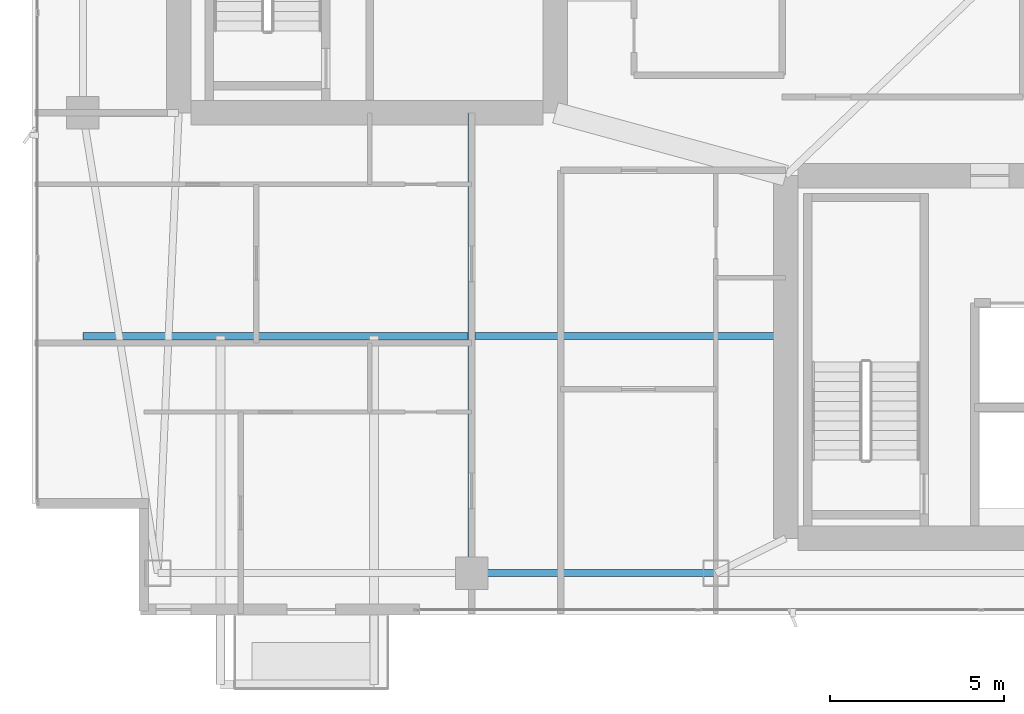
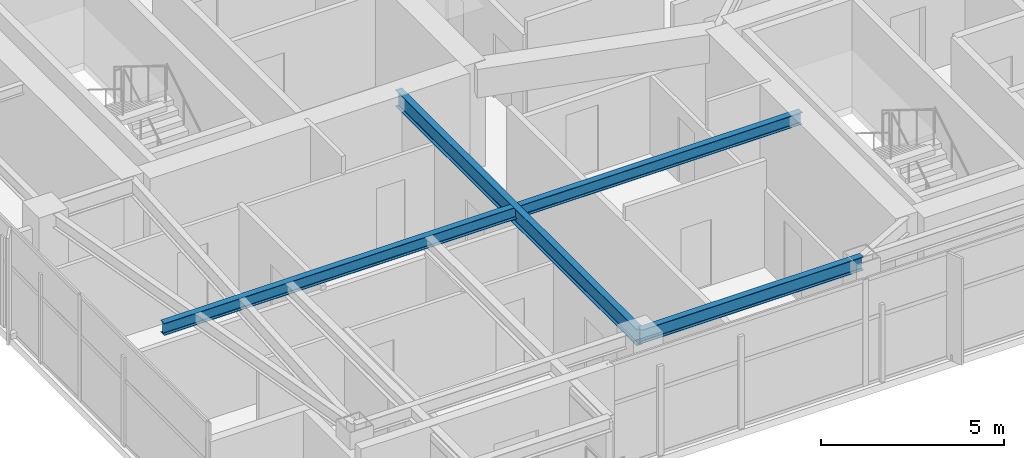
# One storey, part 6 of 29: 3 beams.
"""IFC4 building model written with IfcOpenShell, lengths in metres."""

from ifc_helpers import new_model, si_unit, direction, frame, origin, origin_2d, place, context, subcontext, project, spatial, i_section, extrude, material, material_profile, profile_set, type_object, element, save


model = new_model("IFC4")

# Units and contexts
model_context = context("Model", 3, precision=1e-05, world=origin(), true_north=direction((0.0, 1.0)))
body_context = subcontext(model_context, "Body", "Model", "MODEL_VIEW")
ifc_project = project(units=[si_unit("LENGTHUNIT", "METRE"), si_unit("AREAUNIT", "SQUARE_METRE"), si_unit("VOLUMEUNIT", "CUBIC_METRE"), si_unit("PLANEANGLEUNIT", "RADIAN"), si_unit("MASSUNIT", "GRAM", prefix="KILO")], contexts=[model_context])

# Site, building, storey
site_placement = place(None, origin())
site = spatial("IfcSite", under=ifc_project, at=site_placement, CompositionType="ELEMENT")
building_placement = place(site_placement, origin())
building = spatial("IfcBuilding", under=site, at=building_placement, Name="Calvorn Quay Hotel", CompositionType="ELEMENT")
storey_placement = place(building_placement, frame((0.0, 0.0, 251.39990234375)))
storey = spatial("IfcBuildingStorey", under=building, at=storey_placement, Name="L62", CompositionType="ELEMENT", Elevation=251.39990234375)

# Beams
ifc_material_1 = material(Name="Steel Q355B", Category="steel")
ifc_material_profile_1 = material_profile(ifc_material_1, i_section(OverallWidth=0.199951171875, OverallDepth=0.550048828125, WebThickness=0.010009765625, FlangeThickness=0.01611328125, FilletRadius=0.01806640625, at=origin_2d()), Name="HN550x200x10x16")
ifc_profile_set_1 = profile_set([ifc_material_profile_1], Name="Steel Q355B")
beam_type_1 = type_object("IfcBeamType", Name="BM-GIRD-UPP", PredefinedType="BEAM", material=ifc_profile_set_1)
beam_1_placement = place(storey_placement, frame((12.60009765625, 3.60009765625, 3.26513671875), z_axis=(0.0, 1.0, 0.0), x_axis=(-1.0, 0.0, 0.0)))
element("IfcBeam", 1, at=beam_1_placement, inside=storey, type_object=beam_type_1, Name="Beam BG-L62-S1", PredefinedType="BEAM", context=body_context, shape_type="SweptSolid", body=[
    extrude(i_section(OverallWidth=0.199951171875, OverallDepth=0.550048828125, WebThickness=0.010009765625, FlangeThickness=0.01611328125, FilletRadius=0.01806640625, at=origin_2d()), origin(), (0.0, 0.0, 1.0), 13.199951171875),
])
ifc_material_2 = material(Name="Steel Q355B", Category="steel")
ifc_material_profile_2 = material_profile(ifc_material_2, i_section(OverallWidth=0.199951171875, OverallDepth=0.39990234375, WebThickness=0.008056640625, FlangeThickness=0.012939453125, FilletRadius=0.01611328125, at=origin_2d()), Name="HN400x200x8x13")
ifc_profile_set_2 = profile_set([ifc_material_profile_2], Name="Steel Q355B")
beam_type_2 = type_object("IfcBeamType", Name="BM-JOIST-TYP", PredefinedType="JOIST", material=ifc_profile_set_2)
beam_2_placement = place(storey_placement, frame((1.449951171875, 10.39990234375, 3.340087890625), z_axis=(1.0, 0.0, 0.0), x_axis=(0.0, 1.0, 0.0)))
element("IfcBeam", 2, at=beam_2_placement, inside=storey, type_object=beam_type_2, Name="Beam BJ-L62-W1", PredefinedType="JOIST", context=body_context, shape_type="SweptSolid", body=[
    extrude(i_section(OverallWidth=0.199951171875, OverallDepth=0.39990234375, WebThickness=0.008056640625, FlangeThickness=0.012939453125, FilletRadius=0.01611328125, at=origin_2d()), origin(), (0.0, 0.0, 1.0), 20.150146484375),
])
ifc_material_3 = material(Name="Steel Q355B", Category="steel")
ifc_material_profile_3 = material_profile(ifc_material_3, i_section(OverallWidth=0.199951171875, OverallDepth=0.449951171875, WebThickness=0.009033203125, FlangeThickness=0.013916015625, FilletRadius=0.01611328125, at=origin_2d()), Name="HN450x200x9x14")
ifc_profile_set_3 = profile_set([ifc_material_profile_3], Name="Steel Q355B")
beam_type_3 = type_object("IfcBeamType", Name="BM-SPANDREL-Z3", PredefinedType="SPANDREL", material=ifc_profile_set_3)
beam_3_placement = place(storey_placement, frame((12.60009765625, 3.60009765625, 3.315185546875), z_axis=(1.0, 0.0, 0.0), x_axis=(0.0, 1.0, 0.0)))
element("IfcBeam", 3, at=beam_3_placement, inside=storey, type_object=beam_type_3, Name="Beam BSP-L62-S2", PredefinedType="SPANDREL", context=body_context, shape_type="SweptSolid", body=[
    extrude(i_section(OverallWidth=0.199951171875, OverallDepth=0.449951171875, WebThickness=0.009033203125, FlangeThickness=0.013916015625, FilletRadius=0.01611328125, at=origin_2d()), origin(), (0.0, 0.0, 1.0), 7.0),
])

save(model, "model.ifc")
